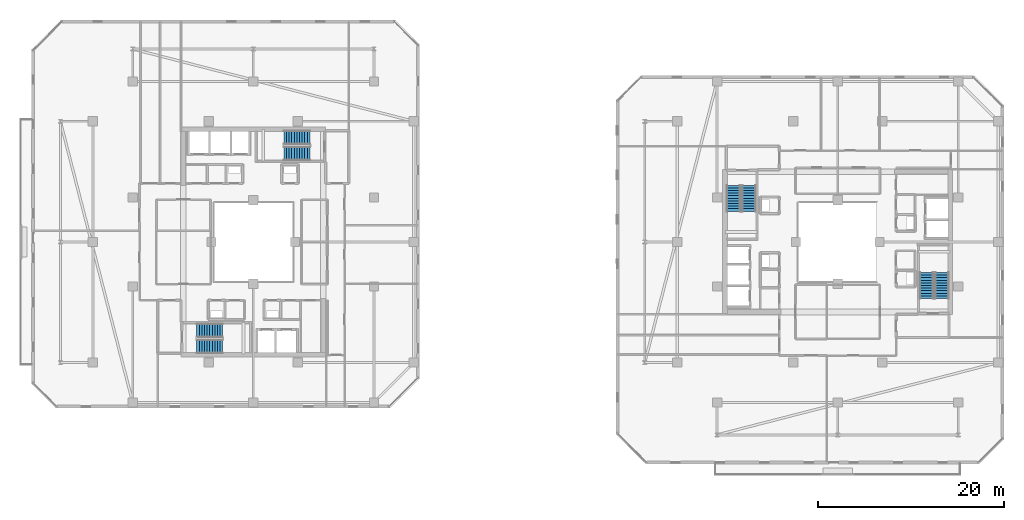
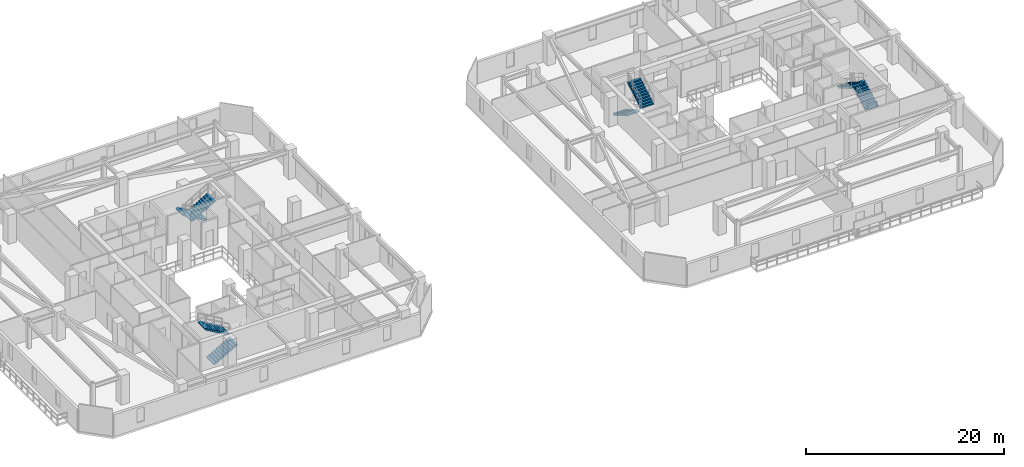
# One storey, part 27 of 33: 8 stair flights, 4 elements without a shape of their own.
"""IFC4 building model written with IfcOpenShell, lengths in metres."""

from ifc_helpers import new_model, si_unit, direction, frame, origin, place, context, subcontext, project, spatial, polyline, outline, extrude, material, type_object, element, aggregate, save


model = new_model("IFC4")

# Units and contexts
model_context = context("Model", 3, precision=1e-05, world=origin(), true_north=direction((0.0, 1.0)))
body_context = subcontext(model_context, "Body", "Model", "MODEL_VIEW")
ifc_project = project(units=[si_unit("LENGTHUNIT", "METRE"), si_unit("AREAUNIT", "SQUARE_METRE"), si_unit("VOLUMEUNIT", "CUBIC_METRE"), si_unit("PLANEANGLEUNIT", "RADIAN"), si_unit("MASSUNIT", "GRAM", prefix="KILO")], contexts=[model_context])

# Site, building, storey
site_placement = place(None, origin())
site = spatial("IfcSite", under=ifc_project, at=site_placement, CompositionType="ELEMENT")
building_placement = place(site_placement, origin())
building = spatial("IfcBuilding", under=site, at=building_placement, Name="Thornwick Lancets Civic Towers", CompositionType="ELEMENT")
storey_placement = place(building_placement, frame((0.0, 0.0, 214.5)))
storey = spatial("IfcBuildingStorey", under=building, at=storey_placement, Name="L57", CompositionType="ELEMENT", Elevation=214.5)

# Stair, stair flights
ifc_material = material(Name="Concrete C40/50", Category="concrete")
stair_type = type_object("IfcStairType", Name="STAIR_DL_3600", PredefinedType="HALF_TURN_STAIR", material=ifc_material)
stair_1_placement = place(storey_placement, origin())
stair_1 = element("IfcStair", 1, at=stair_1_placement, inside=storey, type_object=stair_type, Name="L57 Tower A South Exit Stair ST-A1", PredefinedType="HALF_TURN_STAIR")
stair_flight_type = type_object("IfcStairFlightType", Name="FLIGHT_3600", PredefinedType="STRAIGHT", material=ifc_material)
stair_flight_1_placement = place(storey_placement, frame((19.39990234375, 15.75, 0.0), z_axis=(0.0, 0.0, 1.0), x_axis=(1.0, 0.0, 0.0)))
stair_flight_1 = element("IfcStairFlight", 2, at=stair_flight_1_placement, type_object=stair_flight_type, Name="ST-A1 flight 1", NumberOfRisers=11, NumberOfTreads=10, PredefinedType="STRAIGHT", RiserHeight=0.163636364, TreadLength=0.28, context=body_context, shape_type="SweptSolid", body=[
    extrude(outline(polyline([(0.0, 0.0), (0.0, 0.16357421875), (0.280029296875, 0.16357421875), (0.280029296875, 0.327392578125), (0.56005859375, 0.327392578125), (0.56005859375, 0.490966796875), (0.840087890625, 0.490966796875), (0.840087890625, 0.654541015625), (1.1201171875, 0.654541015625), (1.1201171875, 0.818115234375), (1.39990234375, 0.818115234375), (1.39990234375, 0.98193359375), (1.679931640625, 0.98193359375), (1.679931640625, 1.1455078125), (1.9599609375, 1.1455078125), (1.9599609375, 1.30908203125), (2.239990234375, 1.30908203125), (2.239990234375, 1.47265625), (2.52001953125, 1.47265625), (2.52001953125, 1.636474609375), (2.800048828125, 1.636474609375), (2.800048828125, 1.800048828125), (2.800048828125, 1.462646484375), (0.297119140625, 0.0), (0.0, 0.0)])), frame((0.0, 0.75, 0.0), z_axis=(0.0, -1.0, 0.0), x_axis=(1.0, 0.0, 0.0)), (0.0, 0.0, 1.0), 1.5),
])
stair_flight_2_placement = place(storey_placement, frame((22.199951171875, 17.449951171875, 1.800048828125), z_axis=(0.0, 0.0, 1.0), x_axis=(-1.0, 0.0, 0.0)))
stair_flight_2 = element("IfcStairFlight", 3, at=stair_flight_2_placement, type_object=stair_flight_type, Name="ST-A1 flight 2", NumberOfRisers=11, NumberOfTreads=10, PredefinedType="STRAIGHT", RiserHeight=0.163636364, TreadLength=0.28, context=body_context, shape_type="SweptSolid", body=[
    extrude(outline(polyline([(0.0, 0.0), (0.0, 0.16357421875), (0.280029296875, 0.16357421875), (0.280029296875, 0.327392578125), (0.56005859375, 0.327392578125), (0.56005859375, 0.490966796875), (0.840087890625, 0.490966796875), (0.840087890625, 0.654541015625), (1.1201171875, 0.654541015625), (1.1201171875, 0.818115234375), (1.39990234375, 0.818115234375), (1.39990234375, 0.98193359375), (1.679931640625, 0.98193359375), (1.679931640625, 1.1455078125), (1.9599609375, 1.1455078125), (1.9599609375, 1.30908203125), (2.239990234375, 1.30908203125), (2.239990234375, 1.47265625), (2.52001953125, 1.47265625), (2.52001953125, 1.636474609375), (2.800048828125, 1.636474609375), (2.800048828125, 1.800048828125), (2.800048828125, 1.462646484375), (0.297119140625, 0.0), (0.0, 0.0)])), frame((0.0, 0.75, 0.0), z_axis=(0.0, -1.0, 0.0), x_axis=(1.0, 0.0, 0.0)), (0.0, 0.0, 1.0), 1.5),
])
aggregate(stair_1, [stair_flight_1, stair_flight_2])

stair_2_placement = place(storey_placement, origin())
stair_2 = element("IfcStair", 4, at=stair_2_placement, inside=storey, type_object=stair_type, Name="L57 Tower A North Exit Stair ST-A2", PredefinedType="HALF_TURN_STAIR")
stair_flight_3_placement = place(storey_placement, frame((31.60009765625, 38.25, 0.0), z_axis=(0.0, 0.0, 1.0), x_axis=(-1.0, 0.0, 0.0)))
stair_flight_3 = element("IfcStairFlight", 5, at=stair_flight_3_placement, type_object=stair_flight_type, Name="ST-A2 flight 1", NumberOfRisers=11, NumberOfTreads=10, PredefinedType="STRAIGHT", RiserHeight=0.163636364, TreadLength=0.28, context=body_context, shape_type="SweptSolid", body=[
    extrude(outline(polyline([(0.0, 0.0), (0.0, 0.16357421875), (0.280029296875, 0.16357421875), (0.280029296875, 0.327392578125), (0.56005859375, 0.327392578125), (0.56005859375, 0.490966796875), (0.840087890625, 0.490966796875), (0.840087890625, 0.654541015625), (1.1201171875, 0.654541015625), (1.1201171875, 0.818115234375), (1.39990234375, 0.818115234375), (1.39990234375, 0.98193359375), (1.679931640625, 0.98193359375), (1.679931640625, 1.1455078125), (1.9599609375, 1.1455078125), (1.9599609375, 1.30908203125), (2.239990234375, 1.30908203125), (2.239990234375, 1.47265625), (2.52001953125, 1.47265625), (2.52001953125, 1.636474609375), (2.800048828125, 1.636474609375), (2.800048828125, 1.800048828125), (2.800048828125, 1.462646484375), (0.297119140625, 0.0), (0.0, 0.0)])), frame((0.0, 0.75, 0.0), z_axis=(0.0, -1.0, 0.0), x_axis=(1.0, 0.0, 0.0)), (0.0, 0.0, 1.0), 1.5),
])
stair_flight_4_placement = place(storey_placement, frame((28.800048828125, 36.550048828125, 1.800048828125), z_axis=(0.0, 0.0, 1.0), x_axis=(1.0, 0.0, 0.0)))
stair_flight_4 = element("IfcStairFlight", 6, at=stair_flight_4_placement, type_object=stair_flight_type, Name="ST-A2 flight 2", NumberOfRisers=11, NumberOfTreads=10, PredefinedType="STRAIGHT", RiserHeight=0.163636364, TreadLength=0.28, context=body_context, shape_type="SweptSolid", body=[
    extrude(outline(polyline([(0.0, 0.0), (0.0, 0.16357421875), (0.280029296875, 0.16357421875), (0.280029296875, 0.327392578125), (0.56005859375, 0.327392578125), (0.56005859375, 0.490966796875), (0.840087890625, 0.490966796875), (0.840087890625, 0.654541015625), (1.1201171875, 0.654541015625), (1.1201171875, 0.818115234375), (1.39990234375, 0.818115234375), (1.39990234375, 0.98193359375), (1.679931640625, 0.98193359375), (1.679931640625, 1.1455078125), (1.9599609375, 1.1455078125), (1.9599609375, 1.30908203125), (2.239990234375, 1.30908203125), (2.239990234375, 1.47265625), (2.52001953125, 1.47265625), (2.52001953125, 1.636474609375), (2.800048828125, 1.636474609375), (2.800048828125, 1.800048828125), (2.800048828125, 1.462646484375), (0.297119140625, 0.0), (0.0, 0.0)])), frame((0.0, 0.75, 0.0), z_axis=(0.0, -1.0, 0.0), x_axis=(1.0, 0.0, 0.0)), (0.0, 0.0, 1.0), 1.5),
])
aggregate(stair_2, [stair_flight_3, stair_flight_4])

stair_3_placement = place(storey_placement, origin())
stair_3 = element("IfcStair", 7, at=stair_3_placement, inside=storey, type_object=stair_type, Name="L57 Tower B East Exit Stair ST-B1", PredefinedType="HALF_TURN_STAIR")
stair_flight_5_placement = place(storey_placement, frame((99.75, 20.89990234375, 0.0), z_axis=(0.0, 0.0, 1.0), x_axis=(0.0, 1.0, 0.0)))
stair_flight_5 = element("IfcStairFlight", 8, at=stair_flight_5_placement, type_object=stair_flight_type, Name="ST-B1 flight 1", NumberOfRisers=11, NumberOfTreads=10, PredefinedType="STRAIGHT", RiserHeight=0.163636364, TreadLength=0.28, context=body_context, shape_type="SweptSolid", body=[
    extrude(outline(polyline([(0.0, 0.0), (0.0, 0.16357421875), (0.280029296875, 0.16357421875), (0.280029296875, 0.327392578125), (0.56005859375, 0.327392578125), (0.56005859375, 0.490966796875), (0.840087890625, 0.490966796875), (0.840087890625, 0.654541015625), (1.1201171875, 0.654541015625), (1.1201171875, 0.818115234375), (1.39990234375, 0.818115234375), (1.39990234375, 0.98193359375), (1.679931640625, 0.98193359375), (1.679931640625, 1.1455078125), (1.9599609375, 1.1455078125), (1.9599609375, 1.30908203125), (2.239990234375, 1.30908203125), (2.239990234375, 1.47265625), (2.52001953125, 1.47265625), (2.52001953125, 1.636474609375), (2.800048828125, 1.636474609375), (2.800048828125, 1.800048828125), (2.800048828125, 1.462646484375), (0.297119140625, 0.0), (0.0, 0.0)])), frame((0.0, 0.75, 0.0), z_axis=(0.0, -1.0, 0.0), x_axis=(1.0, 0.0, 0.0)), (0.0, 0.0, 1.0), 1.5),
])
stair_flight_6_placement = place(storey_placement, frame((98.050048828125, 23.699951171875, 1.800048828125), z_axis=(0.0, 0.0, 1.0), x_axis=(0.0, -1.0, 0.0)))
stair_flight_6 = element("IfcStairFlight", 9, at=stair_flight_6_placement, type_object=stair_flight_type, Name="ST-B1 flight 2", NumberOfRisers=11, NumberOfTreads=10, PredefinedType="STRAIGHT", RiserHeight=0.163636364, TreadLength=0.28, context=body_context, shape_type="SweptSolid", body=[
    extrude(outline(polyline([(0.0, 0.0), (0.0, 0.16357421875), (0.280029296875, 0.16357421875), (0.280029296875, 0.327392578125), (0.56005859375, 0.327392578125), (0.56005859375, 0.490966796875), (0.840087890625, 0.490966796875), (0.840087890625, 0.654541015625), (1.1201171875, 0.654541015625), (1.1201171875, 0.818115234375), (1.39990234375, 0.818115234375), (1.39990234375, 0.98193359375), (1.679931640625, 0.98193359375), (1.679931640625, 1.1455078125), (1.9599609375, 1.1455078125), (1.9599609375, 1.30908203125), (2.239990234375, 1.30908203125), (2.239990234375, 1.47265625), (2.52001953125, 1.47265625), (2.52001953125, 1.636474609375), (2.800048828125, 1.636474609375), (2.800048828125, 1.800048828125), (2.800048828125, 1.462646484375), (0.297119140625, 0.0), (0.0, 0.0)])), frame((0.0, 0.75, 0.0), z_axis=(0.0, -1.0, 0.0), x_axis=(1.0, 0.0, 0.0)), (0.0, 0.0, 1.0), 1.5),
])
aggregate(stair_3, [stair_flight_5, stair_flight_6])

stair_4_placement = place(storey_placement, origin())
stair_4 = element("IfcStair", 10, at=stair_4_placement, inside=storey, type_object=stair_type, Name="L57 Tower B West Exit Stair ST-B2", PredefinedType="HALF_TURN_STAIR")
stair_flight_7_placement = place(storey_placement, frame((77.25, 33.10009765625, 0.0), z_axis=(0.0, 0.0, 1.0), x_axis=(0.0, -1.0, 0.0)))
stair_flight_7 = element("IfcStairFlight", 11, at=stair_flight_7_placement, type_object=stair_flight_type, Name="ST-B2 flight 1", NumberOfRisers=11, NumberOfTreads=10, PredefinedType="STRAIGHT", RiserHeight=0.163636364, TreadLength=0.28, context=body_context, shape_type="SweptSolid", body=[
    extrude(outline(polyline([(0.0, 0.0), (0.0, 0.16357421875), (0.280029296875, 0.16357421875), (0.280029296875, 0.327392578125), (0.56005859375, 0.327392578125), (0.56005859375, 0.490966796875), (0.840087890625, 0.490966796875), (0.840087890625, 0.654541015625), (1.1201171875, 0.654541015625), (1.1201171875, 0.818115234375), (1.39990234375, 0.818115234375), (1.39990234375, 0.98193359375), (1.679931640625, 0.98193359375), (1.679931640625, 1.1455078125), (1.9599609375, 1.1455078125), (1.9599609375, 1.30908203125), (2.239990234375, 1.30908203125), (2.239990234375, 1.47265625), (2.52001953125, 1.47265625), (2.52001953125, 1.636474609375), (2.800048828125, 1.636474609375), (2.800048828125, 1.800048828125), (2.800048828125, 1.462646484375), (0.297119140625, 0.0), (0.0, 0.0)])), frame((0.0, 0.75, 0.0), z_axis=(0.0, -1.0, 0.0), x_axis=(1.0, 0.0, 0.0)), (0.0, 0.0, 1.0), 1.5),
])
stair_flight_8_placement = place(storey_placement, frame((78.949951171875, 30.300048828125, 1.800048828125), z_axis=(0.0, 0.0, 1.0), x_axis=(0.0, 1.0, 0.0)))
stair_flight_8 = element("IfcStairFlight", 12, at=stair_flight_8_placement, type_object=stair_flight_type, Name="ST-B2 flight 2", NumberOfRisers=11, NumberOfTreads=10, PredefinedType="STRAIGHT", RiserHeight=0.163636364, TreadLength=0.28, context=body_context, shape_type="SweptSolid", body=[
    extrude(outline(polyline([(0.0, 0.0), (0.0, 0.16357421875), (0.280029296875, 0.16357421875), (0.280029296875, 0.327392578125), (0.56005859375, 0.327392578125), (0.56005859375, 0.490966796875), (0.840087890625, 0.490966796875), (0.840087890625, 0.654541015625), (1.1201171875, 0.654541015625), (1.1201171875, 0.818115234375), (1.39990234375, 0.818115234375), (1.39990234375, 0.98193359375), (1.679931640625, 0.98193359375), (1.679931640625, 1.1455078125), (1.9599609375, 1.1455078125), (1.9599609375, 1.30908203125), (2.239990234375, 1.30908203125), (2.239990234375, 1.47265625), (2.52001953125, 1.47265625), (2.52001953125, 1.636474609375), (2.800048828125, 1.636474609375), (2.800048828125, 1.800048828125), (2.800048828125, 1.462646484375), (0.297119140625, 0.0), (0.0, 0.0)])), frame((0.0, 0.75, 0.0), z_axis=(0.0, -1.0, 0.0), x_axis=(1.0, 0.0, 0.0)), (0.0, 0.0, 1.0), 1.5),
])
aggregate(stair_4, [stair_flight_7, stair_flight_8])

save(model, "model.ifc")
